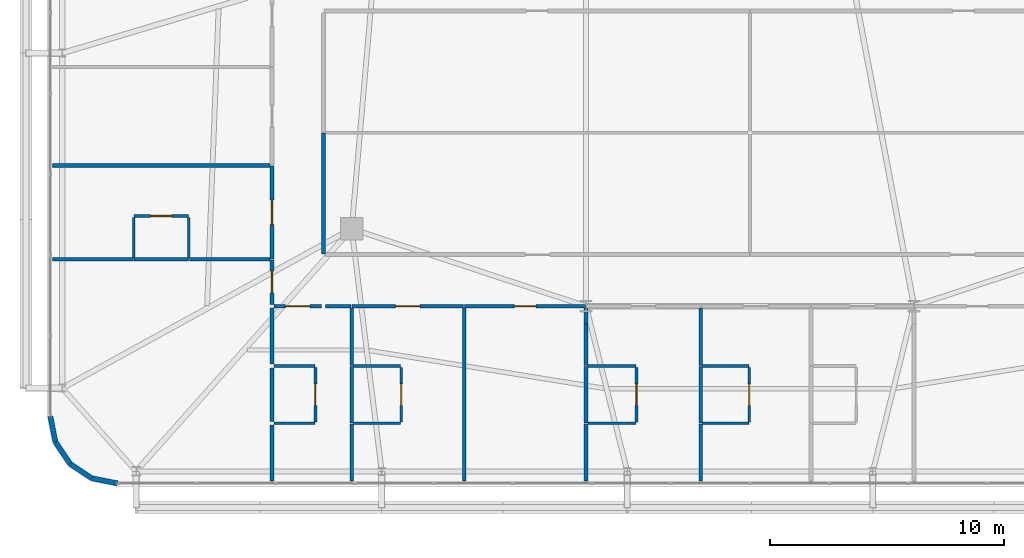
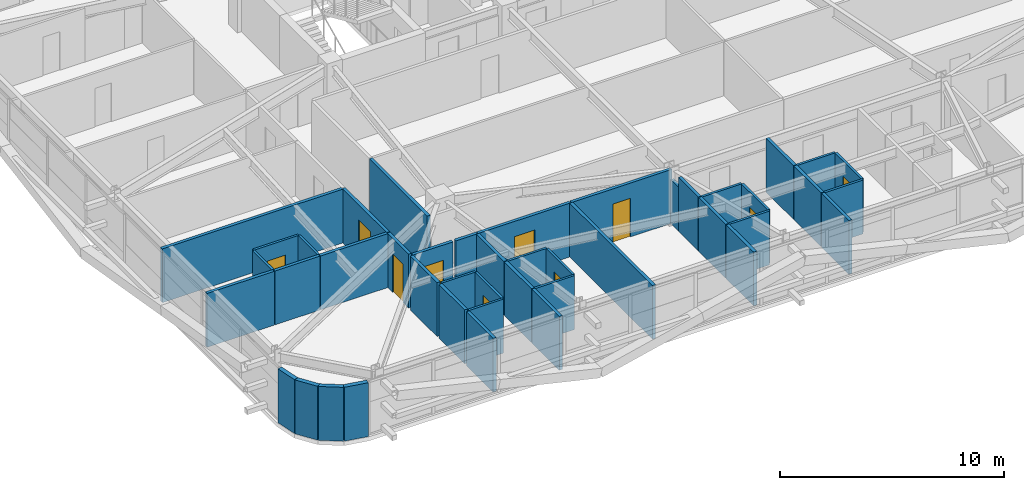
# One storey, part 52 of 59: 44 walls, 10 doors, 10 openings.
"""IFC4 building model written with IfcOpenShell, lengths in metres."""

from ifc_helpers import new_model, si_unit, direction, frame, frame_2d, origin, place, context, subcontext, project, spatial, rectangle, extrude, source, transform, mapped, material, layer, layer_set, type_object, element, fill, save


model = new_model("IFC4")

# Units and contexts
model_context = context("Model", 3, precision=1e-05, world=origin(), true_north=direction((0.0, 1.0)))
body_context = subcontext(model_context, "Body", "Model", "MODEL_VIEW")
ifc_project = project(units=[si_unit("LENGTHUNIT", "METRE"), si_unit("AREAUNIT", "SQUARE_METRE"), si_unit("VOLUMEUNIT", "CUBIC_METRE"), si_unit("PLANEANGLEUNIT", "RADIAN"), si_unit("MASSUNIT", "GRAM", prefix="KILO")], contexts=[model_context])

# Site, building, storey
site_placement = place(None, origin())
site = spatial("IfcSite", under=ifc_project, at=site_placement, CompositionType="ELEMENT")
building_placement = place(site_placement, origin())
building = spatial("IfcBuilding", under=site, at=building_placement, Name="Taldren Reach Tower", CompositionType="ELEMENT")
storey_placement = place(building_placement, frame((0.0, 0.0, 19.949951171875)))
storey = spatial("IfcBuildingStorey", under=building, at=storey_placement, Name="L05", CompositionType="ELEMENT", Elevation=19.949951171875)

# Walls
ifc_material_1 = material(Name="Pale Champagne Anodised Aluminium Cladding", Category="aluminium")
ifc_layer_1 = layer(ifc_material_1, 0.04, Name="Pale Champagne Anodised Aluminium Cladding", Category="aluminium")
ifc_material_2 = material(Name="Mineral Wool Acoustic Insulation", Category="insulation")
ifc_layer_2 = layer(ifc_material_2, 0.06, Name="Mineral Wool Acoustic Insulation", Category="insulation")
ifc_material_3 = material(Name="Steel Gr 350 (C350L0)", Category="steel")
ifc_layer_3 = layer(ifc_material_3, 0.12, Name="Steel Gr 350 (C350L0)", Category="steel")
ifc_layer_set_1 = layer_set([ifc_layer_1, ifc_layer_2, ifc_layer_3], Name="Pale Champagne Aluminium Cladding and Steel Gr 350 Stud Framing")
wall_type_1 = type_object("IfcWallType", Name="EW-CRN-220", PredefinedType="SOLIDWALL", material=ifc_layer_set_1)
shared_shape_1 = source(origin(), body_context, "Body", "SweptSolid", [
    extrude(rectangle(XDim=1.115966796875, YDim=0.219970703125, at=frame_2d((0.55810546875, 0.0))), origin(), (0.0, 0.0, 1.0), 2.929931640625),
])
for number, where, z_axis, x_axis, name in (
    (1, (5.139892578125, 4.5, 0.0), (0.0, 0.0, 1.0), (0.195148375659, -0.98077373103, 0.0), "Rounded-corner pale-metal facade wall L05-SW1"),
    (2, (5.357666015625, 3.405517578125, 0.0), (0.0, 0.0, 1.0), (0.555709556774, -0.83137650226, 0.0), "Rounded-corner pale-metal facade wall L05-SW2"),
    (3, (5.977783203125, 2.477783203125, 0.0), (0.0, 0.0, 1.0), (0.83137650226, -0.555709556774, 0.0), "Rounded-corner pale-metal facade wall L05-SW3"),
    (4, (6.905517578125, 1.857666015625, 0.0), (0.0, 0.0, 1.0), (0.98077373103, -0.195148375659, 0.0), "Rounded-corner pale-metal facade wall L05-SW4"),
):
    element("IfcWall", number, at=place(storey_placement, frame(where, z_axis=z_axis, x_axis=x_axis)), inside=storey, type_object=wall_type_1, Name=name, PredefinedType="SOLIDWALL", context=body_context, shape_type="MappedRepresentation", body=[
        mapped(shared_shape_1, transform((0.0, 0.0, 0.0), scale=1.0)),
    ])

# Wall, opening, door
ifc_material_4 = material(Name="Fire-Rated Acoustic Plasterboard Stud Wall", Category="gypsum")
ifc_layer_4 = layer(ifc_material_4, 0.159912109375)
ifc_layer_set_2 = layer_set([ifc_layer_4], Name="Fire-Rated Acoustic Plasterboard Stud Wall")
wall_type_2 = type_object("IfcWallType", Name="IW-FIRE-160", PredefinedType="PARTITIONING", material=ifc_layer_set_2)
shared_shape_2 = source(origin(), body_context, "Body", "SweptSolid", [
    extrude(rectangle(XDim=2.0400390625, YDim=0.159912109375, at=frame_2d((1.02001953125, 0.0))), origin(), (0.0, 0.0, 1.0), 2.929931640625),
])
wall_1_placement = place(storey_placement, frame((16.719970703125, 9.199951171875, 0.0), z_axis=(0.0, 0.0, 1.0), x_axis=(-1.0, 0.0, 0.0)))
wall_1 = element("IfcWall", 5, at=wall_1_placement, inside=storey, type_object=wall_type_2, Name="Interior Partition Wall W-INT-L05-053", PredefinedType="PARTITIONING", context=body_context, shape_type="MappedRepresentation", body=[
    mapped(shared_shape_2, transform((0.0, 0.0, 0.0), scale=1.0)),
])
shared_shape_3 = source(origin(), body_context, "Body", "SweptSolid", [
    extrude(rectangle(XDim=1.050048828125, YDim=2.10009765625, at=frame_2d((0.52490234375, 1.050048828125))), frame((0.0, 0.08984375, 0.0), z_axis=(0.0, -1.0, 0.0), x_axis=(1.0, 0.0, 0.0)), (0.0, 0.0, 1.0), 0.179931640625),
])
opening_1_placement = place(wall_1_placement, frame((0.4951171875, 0.0, 0.0)))
opening_1 = element("IfcOpeningElement", 6, at=opening_1_placement, cuts=wall_1, Name="Opening DF-105", PredefinedType="OPENING", context=body_context, shape_type="MappedRepresentation", body=[
    mapped(shared_shape_3, transform((0.0, 0.0, 0.0), scale=1.0)),
])
ifc_material_5 = material(Name="Fire-Rated Care and Stair Exit Door")
door_type_1 = type_object("IfcDoorType", Name="ID-FIRE-105", OperationType="NOTDEFINED", PredefinedType="DOOR", material=ifc_material_5)
shared_shape_4 = source(origin(), body_context, "Body", "SweptSolid", [
    extrude(rectangle(XDim=1.050048828125, YDim=2.10009765625, at=frame_2d((0.52490234375, 1.050048828125))), frame((0.0, 0.02490234375, 0.0), z_axis=(0.0, -1.0, 0.0), x_axis=(1.0, 0.0, 0.0)), (0.0, 0.0, 1.0), 0.050048828125),
])
door_1_placement = place(opening_1_placement, origin())
door_1 = element("IfcDoor", 7, at=door_1_placement, inside=storey, type_object=door_type_1, Name="Interior Door DR-L05-011", OperationType="SINGLE_SWING_RIGHT", OverallHeight=2.10009765625, OverallWidth=1.050048828125, PredefinedType="DOOR", context=body_context, shape_type="MappedRepresentation", body=[
    mapped(shared_shape_4, transform((0.0, 0.0, 0.0), scale=1.0)),
])
fill(opening_1, door_1)

# Wall
shared_shape_5 = source(origin(), body_context, "Body", "SweptSolid", [
    extrude(rectangle(XDim=5.15966796875, YDim=0.159912109375, at=frame_2d((2.579833984375, 0.0))), origin(), (0.0, 0.0, 1.0), 2.929931640625),
])
wall_2_placement = place(storey_placement, frame((16.800048828125, 16.579833984375, 0.0), z_axis=(0.0, 0.0, 1.0), x_axis=(0.0, -1.0, 0.0)))
element("IfcWall", 8, at=wall_2_placement, inside=storey, type_object=wall_type_2, Name="Interior Partition Wall W-INT-L05-047", PredefinedType="PARTITIONING", context=body_context, shape_type="MappedRepresentation", body=[
    mapped(shared_shape_5, transform((0.0, 0.0, 0.0), scale=1.0)),
])

# Wall, opening, door
shared_shape_6 = source(origin(), body_context, "Body", "SweptSolid", [
    extrude(rectangle(XDim=1.899658203125, YDim=0.159912109375, at=frame_2d((0.94970703125, 0.0))), origin(), (0.0, 0.0, 1.0), 2.929931640625),
])
wall_3_placement = place(storey_placement, frame((14.60009765625, 9.280029296875, 0.0), z_axis=(0.0, 0.0, 1.0), x_axis=(0.0, 1.0, 0.0)))
wall_3 = element("IfcWall", 9, at=wall_3_placement, inside=storey, type_object=wall_type_2, Name="Interior Partition Wall W-INT-L05-055", PredefinedType="PARTITIONING", context=body_context, shape_type="MappedRepresentation", body=[
    mapped(shared_shape_6, transform((0.0, 0.0, 0.0), scale=1.0)),
])
shared_shape_7 = source(origin(), body_context, "Body", "SweptSolid", [
    extrude(rectangle(XDim=0.919921875, YDim=2.10009765625, at=frame_2d((0.4599609375, 1.050048828125))), frame((0.0, 0.08984375, 0.0), z_axis=(0.0, -1.0, 0.0), x_axis=(1.0, 0.0, 0.0)), (0.0, 0.0, 1.0), 0.179931640625),
])
opening_2_placement = place(wall_3_placement, frame((0.489990234375, 0.0, 0.0)))
opening_2 = element("IfcOpeningElement", 10, at=opening_2_placement, cuts=wall_3, Name="Opening DI-092", PredefinedType="OPENING", context=body_context, shape_type="MappedRepresentation", body=[
    mapped(shared_shape_7, transform((0.0, 0.0, 0.0), scale=1.0)),
])
ifc_material_6 = material(Name="Solid-Core Timber Suite Door", Category="wood")
door_type_2 = type_object("IfcDoorType", Name="ID-INT-092", OperationType="NOTDEFINED", PredefinedType="DOOR", material=ifc_material_6)
shared_shape_8 = source(origin(), body_context, "Body", "SweptSolid", [
    extrude(rectangle(XDim=0.919921875, YDim=2.10009765625, at=frame_2d((0.4599609375, 1.050048828125))), frame((0.0, 0.02490234375, 0.0), z_axis=(0.0, -1.0, 0.0), x_axis=(1.0, 0.0, 0.0)), (0.0, 0.0, 1.0), 0.050048828125),
])
door_2_placement = place(opening_2_placement, origin())
door_2 = element("IfcDoor", 11, at=door_2_placement, inside=storey, type_object=door_type_2, Name="Interior Door DR-L05-013", OperationType="SINGLE_SWING_RIGHT", OverallHeight=2.10009765625, OverallWidth=0.919921875, PredefinedType="DOOR", context=body_context, shape_type="MappedRepresentation", body=[
    mapped(shared_shape_8, transform((0.0, 0.0, 0.0), scale=1.0)),
])
fill(opening_2, door_2)

shared_shape_9 = source(origin(), body_context, "Body", "SweptSolid", [
    extrude(rectangle(XDim=3.95947265625, YDim=0.159912109375, at=frame_2d((1.979736328125, 0.0))), origin(), (0.0, 0.0, 1.0), 2.929931640625),
])
wall_4_placement = place(storey_placement, frame((14.60009765625, 11.22021484375, 0.0), z_axis=(0.0, 0.0, 1.0), x_axis=(0.0, 1.0, 0.0)))
wall_4 = element("IfcWall", 12, at=wall_4_placement, inside=storey, type_object=wall_type_2, Name="Interior Partition Wall W-INT-L05-056", PredefinedType="PARTITIONING", context=body_context, shape_type="MappedRepresentation", body=[
    mapped(shared_shape_9, transform((0.0, 0.0, 0.0), scale=1.0)),
])
opening_3_placement = place(wall_4_placement, frame((1.45458984375, 0.0, 0.0)))
opening_3 = element("IfcOpeningElement", 13, at=opening_3_placement, cuts=wall_4, Name="Opening DF-105", PredefinedType="OPENING", context=body_context, shape_type="MappedRepresentation", body=[
    mapped(shared_shape_3, transform((0.0, 0.0, 0.0), scale=1.0)),
])
door_3_placement = place(opening_3_placement, origin())
door_3 = element("IfcDoor", 14, at=door_3_placement, inside=storey, type_object=door_type_1, Name="Interior Door DR-L05-014", OperationType="SINGLE_SWING_LEFT", OverallHeight=2.10009765625, OverallWidth=1.050048828125, PredefinedType="DOOR", context=body_context, shape_type="MappedRepresentation", body=[
    mapped(shared_shape_4, transform((0.0, 0.0, 0.0), scale=1.0)),
])
fill(opening_3, door_3)

# Wall
shared_shape_10 = source(origin(), body_context, "Body", "SweptSolid", [
    extrude(rectangle(XDim=1.099853515625, YDim=0.159912109375, at=frame_2d((0.5498046875, 0.0))), origin(), (0.0, 0.0, 1.0), 2.929931640625),
])
wall_5_placement = place(storey_placement, frame((17.979736328125, 9.199951171875, 0.0), z_axis=(0.0, 0.0, 1.0), x_axis=(-1.0, 0.0, 0.0)))
element("IfcWall", 15, at=wall_5_placement, inside=storey, type_object=wall_type_2, Name="Interior Partition Wall W-INT-L05-067", PredefinedType="PARTITIONING", context=body_context, shape_type="MappedRepresentation", body=[
    mapped(shared_shape_10, transform((0.0, 0.0, 0.0), scale=1.0)),
])

# Wall, opening, door
shared_shape_11 = source(origin(), body_context, "Body", "SweptSolid", [
    extrude(rectangle(XDim=4.759521484375, YDim=0.159912109375, at=frame_2d((2.3798828125, 0.0))), origin(), (0.0, 0.0, 1.0), 2.929931640625),
])
wall_6_placement = place(storey_placement, frame((22.77978515625, 9.199951171875, 0.0), z_axis=(0.0, 0.0, 1.0), x_axis=(-1.0, 0.0, 0.0)))
wall_6 = element("IfcWall", 16, at=wall_6_placement, inside=storey, type_object=wall_type_2, Name="Interior Partition Wall W-INT-L05-068", PredefinedType="PARTITIONING", context=body_context, shape_type="MappedRepresentation", body=[
    mapped(shared_shape_11, transform((0.0, 0.0, 0.0), scale=1.0)),
])
opening_4_placement = place(wall_6_placement, frame((1.854736328125, 0.0, 0.0)))
opening_4 = element("IfcOpeningElement", 17, at=opening_4_placement, cuts=wall_6, Name="Opening DF-105", PredefinedType="OPENING", context=body_context, shape_type="MappedRepresentation", body=[
    mapped(shared_shape_3, transform((0.0, 0.0, 0.0), scale=1.0)),
])
door_4_placement = place(opening_4_placement, origin())
door_4 = element("IfcDoor", 18, at=door_4_placement, inside=storey, type_object=door_type_1, Name="Interior Door DR-L05-024", OperationType="SINGLE_SWING_LEFT", OverallHeight=2.10009765625, OverallWidth=1.050048828125, PredefinedType="DOOR", context=body_context, shape_type="MappedRepresentation", body=[
    mapped(shared_shape_4, transform((0.0, 0.0, 0.0), scale=1.0)),
])
fill(opening_4, door_4)

shared_shape_12 = source(origin(), body_context, "Body", "SweptSolid", [
    extrude(rectangle(XDim=5.159423828125, YDim=0.159912109375, at=frame_2d((2.57958984375, 0.0))), origin(), (0.0, 0.0, 1.0), 2.929931640625),
])
wall_7_placement = place(storey_placement, frame((27.979736328125, 9.199951171875, 0.0), z_axis=(0.0, 0.0, 1.0), x_axis=(-1.0, 0.0, 0.0)))
wall_7 = element("IfcWall", 19, at=wall_7_placement, inside=storey, type_object=wall_type_2, Name="Interior Partition Wall W-INT-L05-069", PredefinedType="PARTITIONING", context=body_context, shape_type="MappedRepresentation", body=[
    mapped(shared_shape_12, transform((0.0, 0.0, 0.0), scale=1.0)),
])
opening_5_placement = place(wall_7_placement, frame((2.119873046875, 0.0, 0.0)))
opening_5 = element("IfcOpeningElement", 20, at=opening_5_placement, cuts=wall_7, Name="Opening DI-092", PredefinedType="OPENING", context=body_context, shape_type="MappedRepresentation", body=[
    mapped(shared_shape_7, transform((0.0, 0.0, 0.0), scale=1.0)),
])
door_5_placement = place(opening_5_placement, origin())
door_5 = element("IfcDoor", 21, at=door_5_placement, inside=storey, type_object=door_type_2, Name="Interior Door DR-L05-025", OperationType="SINGLE_SWING_RIGHT", OverallHeight=2.10009765625, OverallWidth=0.919921875, PredefinedType="DOOR", context=body_context, shape_type="MappedRepresentation", body=[
    mapped(shared_shape_8, transform((0.0, 0.0, 0.0), scale=1.0)),
])
fill(opening_5, door_5)

ifc_material_7 = material(Name="Insulated Residential Stud Partition", Category="gypsum")
ifc_layer_5 = layer(ifc_material_7, 0.1201171875)
ifc_layer_set_3 = layer_set([ifc_layer_5], Name="Insulated Residential Stud Partition")
wall_type_3 = type_object("IfcWallType", Name="IW-PART-120", PredefinedType="PARTITIONING", material=ifc_layer_set_3)
shared_shape_13 = source(origin(), body_context, "Body", "SweptSolid", [
    extrude(rectangle(XDim=2.330078125, YDim=0.1201171875, at=frame_2d((1.1650390625, 0.0))), origin(), (0.0, 0.0, 1.0), 2.929931640625),
])
wall_8_placement = place(storey_placement, frame((16.449951171875, 4.260009765625, 0.0), z_axis=(0.0, 0.0, 1.0), x_axis=(0.0, 1.0, 0.0)))
wall_8 = element("IfcWall", 22, at=wall_8_placement, inside=storey, type_object=wall_type_3, Name="Interior Partition Wall W-INT-L05-080", PredefinedType="PARTITIONING", context=body_context, shape_type="MappedRepresentation", body=[
    mapped(shared_shape_13, transform((0.0, 0.0, 0.0), scale=1.0)),
])
shared_shape_14 = source(origin(), body_context, "Body", "SweptSolid", [
    extrude(rectangle(XDim=0.919921875, YDim=2.10009765625, at=frame_2d((0.4599609375, 1.050048828125))), frame((0.0, 0.070068359375, 0.0), z_axis=(0.0, -1.0, 0.0), x_axis=(1.0, 0.0, 0.0)), (0.0, 0.0, 1.0), 0.14013671875),
])
opening_6_placement = place(wall_8_placement, frame((0.705078125, 0.0, 0.0)))
opening_6 = element("IfcOpeningElement", 23, at=opening_6_placement, cuts=wall_8, Name="Opening DI-092", PredefinedType="OPENING", context=body_context, shape_type="MappedRepresentation", body=[
    mapped(shared_shape_14, transform((0.0, 0.0, 0.0), scale=1.0)),
])
door_6_placement = place(opening_6_placement, origin())
door_6 = element("IfcDoor", 24, at=door_6_placement, inside=storey, type_object=door_type_2, Name="Interior Door DR-L05-031", OperationType="SINGLE_SWING_RIGHT", OverallHeight=2.10009765625, OverallWidth=0.919921875, PredefinedType="DOOR", context=body_context, shape_type="MappedRepresentation", body=[
    mapped(shared_shape_8, transform((0.0, 0.0, 0.0), scale=1.0)),
])
fill(opening_6, door_6)

wall_9_placement = place(storey_placement, frame((20.112060546875, 4.260009765625, 0.0), z_axis=(0.0, 0.0, 1.0), x_axis=(0.0, 1.0, 0.0)))
wall_9 = element("IfcWall", 25, at=wall_9_placement, inside=storey, type_object=wall_type_3, Name="Interior Partition Wall W-INT-L05-089", PredefinedType="PARTITIONING", context=body_context, shape_type="MappedRepresentation", body=[
    mapped(shared_shape_13, transform((0.0, 0.0, 0.0), scale=1.0)),
])
opening_7_placement = place(wall_9_placement, frame((0.705078125, 0.0, 0.0)))
opening_7 = element("IfcOpeningElement", 26, at=opening_7_placement, cuts=wall_9, Name="Opening DI-092", PredefinedType="OPENING", context=body_context, shape_type="MappedRepresentation", body=[
    mapped(shared_shape_14, transform((0.0, 0.0, 0.0), scale=1.0)),
])
door_7_placement = place(opening_7_placement, origin())
door_7 = element("IfcDoor", 27, at=door_7_placement, inside=storey, type_object=door_type_2, Name="Interior Door DR-L05-032", OperationType="SINGLE_SWING_LEFT", OverallHeight=2.10009765625, OverallWidth=0.919921875, PredefinedType="DOOR", context=body_context, shape_type="MappedRepresentation", body=[
    mapped(shared_shape_8, transform((0.0, 0.0, 0.0), scale=1.0)),
])
fill(opening_7, door_7)

wall_10_placement = place(storey_placement, frame((30.156005859375, 4.260009765625, 0.0), z_axis=(0.0, 0.0, 1.0), x_axis=(0.0, 1.0, 0.0)))
wall_10 = element("IfcWall", 28, at=wall_10_placement, inside=storey, type_object=wall_type_3, Name="Interior Partition Wall W-INT-L05-096", PredefinedType="PARTITIONING", context=body_context, shape_type="MappedRepresentation", body=[
    mapped(shared_shape_13, transform((0.0, 0.0, 0.0), scale=1.0)),
])
opening_8_placement = place(wall_10_placement, frame((0.705078125, 0.0, 0.0)))
opening_8 = element("IfcOpeningElement", 29, at=opening_8_placement, cuts=wall_10, Name="Opening DI-092", PredefinedType="OPENING", context=body_context, shape_type="MappedRepresentation", body=[
    mapped(shared_shape_14, transform((0.0, 0.0, 0.0), scale=1.0)),
])
door_8_placement = place(opening_8_placement, origin())
door_8 = element("IfcDoor", 30, at=door_8_placement, inside=storey, type_object=door_type_2, Name="Interior Door DR-L05-033", OperationType="SINGLE_SWING_RIGHT", OverallHeight=2.10009765625, OverallWidth=0.919921875, PredefinedType="DOOR", context=body_context, shape_type="MappedRepresentation", body=[
    mapped(shared_shape_8, transform((0.0, 0.0, 0.0), scale=1.0)),
])
fill(opening_8, door_8)

wall_11_placement = place(storey_placement, frame((34.968017578125, 4.260009765625, 0.0), z_axis=(0.0, 0.0, 1.0), x_axis=(0.0, 1.0, 0.0)))
wall_11 = element("IfcWall", 31, at=wall_11_placement, inside=storey, type_object=wall_type_3, Name="Interior Partition Wall W-INT-L05-102", PredefinedType="PARTITIONING", context=body_context, shape_type="MappedRepresentation", body=[
    mapped(shared_shape_13, transform((0.0, 0.0, 0.0), scale=1.0)),
])
opening_9_placement = place(wall_11_placement, frame((0.705078125, 0.0, 0.0)))
opening_9 = element("IfcOpeningElement", 32, at=opening_9_placement, cuts=wall_11, Name="Opening DI-092", PredefinedType="OPENING", context=body_context, shape_type="MappedRepresentation", body=[
    mapped(shared_shape_14, transform((0.0, 0.0, 0.0), scale=1.0)),
])
door_9_placement = place(opening_9_placement, origin())
door_9 = element("IfcDoor", 33, at=door_9_placement, inside=storey, type_object=door_type_2, Name="Interior Door DR-L05-034", OperationType="SINGLE_SWING_LEFT", OverallHeight=2.10009765625, OverallWidth=0.919921875, PredefinedType="DOOR", context=body_context, shape_type="MappedRepresentation", body=[
    mapped(shared_shape_8, transform((0.0, 0.0, 0.0), scale=1.0)),
])
fill(opening_9, door_9)

# Walls
shared_shape_15 = source(origin(), body_context, "Body", "SweptSolid", [
    extrude(rectangle(XDim=1.749755859375, YDim=0.1201171875, at=frame_2d((0.875, 0.0))), origin(), (0.0, 0.0, 1.0), 2.929931640625),
])
for number, where, z_axis, x_axis, name in (
    (34, (14.679931640625, 4.199951171875, 0.0), (0.0, 0.0, 1.0), (1.0, 0.0, 0.0), "Interior Partition Wall W-INT-L05-081"),
    (35, (16.4296875, 6.64990234375, 0.0), (0.0, 0.0, 1.0), (-1.0, 0.0, 0.0), "Interior Partition Wall W-INT-L05-082"),
):
    element("IfcWall", number, at=place(storey_placement, frame(where, z_axis=z_axis, x_axis=x_axis)), inside=storey, type_object=wall_type_3, Name=name, PredefinedType="PARTITIONING", context=body_context, shape_type="MappedRepresentation", body=[
        mapped(shared_shape_15, transform((0.0, 0.0, 0.0), scale=1.0)),
    ])
shared_shape_16 = source(origin(), body_context, "Body", "SweptSolid", [
    extrude(rectangle(XDim=2.44775390625, YDim=0.159912109375, at=frame_2d((1.223876953125, 0.0))), origin(), (0.0, 0.0, 1.0), 2.929931640625),
])
for number, where, z_axis, x_axis, name in (
    (36, (18.0, 4.1796875, 0.0), (0.0, 0.0, 1.0), (0.0, -1.0, 0.0), "Interior Partition Wall W-INT-L05-083"),
    (37, (18.0, 9.117919921875, 0.0), (0.0, 0.0, 1.0), (0.0, -1.0, 0.0), "Interior Partition Wall W-INT-L05-084"),
    (38, (32.89990234375, 4.1796875, 0.0), (0.0, 0.0, 1.0), (0.0, -1.0, 0.0), "Interior Partition Wall W-INT-L05-099"),
    (39, (32.89990234375, 9.117919921875, 0.0), (0.0, 0.0, 1.0), (0.0, -1.0, 0.0), "Interior Partition Wall W-INT-L05-100"),
):
    element("IfcWall", number, at=place(storey_placement, frame(where, z_axis=z_axis, x_axis=x_axis)), inside=storey, type_object=wall_type_2, Name=name, PredefinedType="PARTITIONING", context=body_context, shape_type="MappedRepresentation", body=[
        mapped(shared_shape_16, transform((0.0, 0.0, 0.0), scale=1.0)),
    ])
shared_shape_17 = source(origin(), body_context, "Body", "SweptSolid", [
    extrude(rectangle(XDim=2.40966796875, YDim=0.159912109375, at=frame_2d((1.204833984375, 0.0))), origin(), (0.0, 0.0, 1.0), 2.929931640625),
])
for number, where, z_axis, x_axis, name in (
    (40, (18.0, 6.6298828125, 0.0), (0.0, 0.0, 1.0), (0.0, -1.0, 0.0), "Interior Partition Wall W-INT-L05-085"),
    (41, (28.0, 6.6298828125, 0.0), (0.0, 0.0, 1.0), (0.0, -1.0, 0.0), "Interior Partition Wall W-INT-L05-095"),
    (42, (32.89990234375, 6.6298828125, 0.0), (0.0, 0.0, 1.0), (0.0, -1.0, 0.0), "Interior Partition Wall W-INT-L05-101"),
):
    element("IfcWall", number, at=place(storey_placement, frame(where, z_axis=z_axis, x_axis=x_axis)), inside=storey, type_object=wall_type_2, Name=name, PredefinedType="PARTITIONING", context=body_context, shape_type="MappedRepresentation", body=[
        mapped(shared_shape_17, transform((0.0, 0.0, 0.0), scale=1.0)),
    ])
shared_shape_18 = source(origin(), body_context, "Body", "SweptSolid", [
    extrude(rectangle(XDim=2.38818359375, YDim=0.159912109375, at=frame_2d((1.194091796875, 0.0))), origin(), (0.0, 0.0, 1.0), 2.929931640625),
])
wall_12_placement = place(storey_placement, frame((14.60009765625, 1.73193359375, 0.0), z_axis=(0.0, 0.0, 1.0), x_axis=(0.0, 1.0, 0.0)))
element("IfcWall", 43, at=wall_12_placement, inside=storey, type_object=wall_type_2, Name="Interior Partition Wall W-INT-L05-086", PredefinedType="PARTITIONING", context=body_context, shape_type="MappedRepresentation", body=[
    mapped(shared_shape_18, transform((0.0, 0.0, 0.0), scale=1.0)),
])
shared_shape_19 = source(origin(), body_context, "Body", "SweptSolid", [
    extrude(rectangle(XDim=2.387939453125, YDim=0.159912109375, at=frame_2d((1.19384765625, 0.0))), origin(), (0.0, 0.0, 1.0), 2.929931640625),
])
wall_13_placement = place(storey_placement, frame((14.60009765625, 6.72998046875, 0.0), z_axis=(0.0, 0.0, 1.0), x_axis=(0.0, 1.0, 0.0)))
element("IfcWall", 44, at=wall_13_placement, inside=storey, type_object=wall_type_2, Name="Interior Partition Wall W-INT-L05-087", PredefinedType="PARTITIONING", context=body_context, shape_type="MappedRepresentation", body=[
    mapped(shared_shape_19, transform((0.0, 0.0, 0.0), scale=1.0)),
])
shared_shape_20 = source(origin(), body_context, "Body", "SweptSolid", [
    extrude(rectangle(XDim=2.2900390625, YDim=0.159912109375, at=frame_2d((1.14501953125, 0.0))), origin(), (0.0, 0.0, 1.0), 2.929931640625),
])
wall_14_placement = place(storey_placement, frame((14.60009765625, 4.280029296875, 0.0), z_axis=(0.0, 0.0, 1.0), x_axis=(0.0, 1.0, 0.0)))
element("IfcWall", 45, at=wall_14_placement, inside=storey, type_object=wall_type_2, Name="Interior Partition Wall W-INT-L05-088", PredefinedType="PARTITIONING", context=body_context, shape_type="MappedRepresentation", body=[
    mapped(shared_shape_20, transform((0.0, 0.0, 0.0), scale=1.0)),
])
shared_shape_21 = source(origin(), body_context, "Body", "SweptSolid", [
    extrude(rectangle(XDim=2.01171875, YDim=0.1201171875, at=frame_2d((1.005859375, 0.0))), origin(), (0.0, 0.0, 1.0), 2.929931640625),
])
for number, where, z_axis, x_axis, name in (
    (46, (18.080078125, 4.199951171875, 0.0), (0.0, 0.0, 1.0), (1.0, 0.0, 0.0), "Interior Partition Wall W-INT-L05-090"),
    (47, (20.091796875, 6.64990234375, 0.0), (0.0, 0.0, 1.0), (-1.0, 0.0, 0.0), "Interior Partition Wall W-INT-L05-091"),
):
    element("IfcWall", number, at=place(storey_placement, frame(where, z_axis=z_axis, x_axis=x_axis)), inside=storey, type_object=wall_type_3, Name=name, PredefinedType="PARTITIONING", context=body_context, shape_type="MappedRepresentation", body=[
        mapped(shared_shape_21, transform((0.0, 0.0, 0.0), scale=1.0)),
    ])
shared_shape_22 = source(origin(), body_context, "Body", "SweptSolid", [
    extrude(rectangle(XDim=7.385986328125, YDim=0.159912109375, at=frame_2d((3.69287109375, 0.0))), origin(), (0.0, 0.0, 1.0), 2.929931640625),
])
wall_15_placement = place(storey_placement, frame((22.800048828125, 9.117919921875, 0.0), z_axis=(0.0, 0.0, 1.0), x_axis=(0.0, -1.0, 0.0)))
element("IfcWall", 48, at=wall_15_placement, inside=storey, type_object=wall_type_2, Name="Interior Partition Wall W-INT-L05-092", PredefinedType="PARTITIONING", context=body_context, shape_type="MappedRepresentation", body=[
    mapped(shared_shape_22, transform((0.0, 0.0, 0.0), scale=1.0)),
])
shared_shape_23 = source(origin(), body_context, "Body", "SweptSolid", [
    extrude(rectangle(XDim=2.44970703125, YDim=0.159912109375, at=frame_2d((1.224853515625, 0.0))), origin(), (0.0, 0.0, 1.0), 2.929931640625),
])
wall_16_placement = place(storey_placement, frame((28.0, 4.1796875, 0.0), z_axis=(0.0, 0.0, 1.0), x_axis=(0.0, -1.0, 0.0)))
element("IfcWall", 49, at=wall_16_placement, inside=storey, type_object=wall_type_2, Name="Interior Partition Wall W-INT-L05-093", PredefinedType="PARTITIONING", context=body_context, shape_type="MappedRepresentation", body=[
    mapped(shared_shape_23, transform((0.0, 0.0, 0.0), scale=1.0)),
])
shared_shape_24 = source(origin(), body_context, "Body", "SweptSolid", [
    extrude(rectangle(XDim=0.672119140625, YDim=0.159912109375, at=frame_2d((0.3359375, 0.0))), origin(), (0.0, 0.0, 1.0), 2.39697265625),
])
wall_17_placement = place(storey_placement, frame((28.0, 9.1201171875, 0.0), z_axis=(0.0, 0.0, 1.0), x_axis=(0.0, -1.0, 0.0)))
element("IfcWall", 50, at=wall_17_placement, inside=storey, type_object=wall_type_2, Name="Interior Partition Wall W-INT-L05-094", PredefinedType="PARTITIONING", context=body_context, shape_type="MappedRepresentation", body=[
    mapped(shared_shape_24, transform((0.0, 0.0, 0.0), scale=1.0)),
])
shared_shape_25 = source(origin(), body_context, "Body", "SweptSolid", [
    extrude(rectangle(XDim=1.77783203125, YDim=0.159912109375, at=frame_2d((0.888916015625, 0.0))), origin(), (0.0, 0.0, 1.0), 2.929931640625),
])
wall_18_placement = place(storey_placement, frame((28.0, 8.447998046875, 0.0), z_axis=(0.0, 0.0, 1.0), x_axis=(0.0, -1.0, 0.0)))
element("IfcWall", 51, at=wall_18_placement, inside=storey, type_object=wall_type_2, Name="Interior Partition Wall W-INT-L05-094 part 2", PredefinedType="PARTITIONING", context=body_context, shape_type="MappedRepresentation", body=[
    mapped(shared_shape_25, transform((0.0, 0.0, 0.0), scale=1.0)),
])
shared_shape_26 = source(origin(), body_context, "Body", "SweptSolid", [
    extrude(rectangle(XDim=2.0556640625, YDim=0.1201171875, at=frame_2d((1.02783203125, 0.0))), origin(), (0.0, 0.0, 1.0), 2.929931640625),
])
for number, where, z_axis, x_axis, name in (
    (52, (28.080078125, 4.199951171875, 0.0), (0.0, 0.0, 1.0), (1.0, 0.0, 0.0), "Interior Partition Wall W-INT-L05-097"),
    (53, (30.1357421875, 6.64990234375, 0.0), (0.0, 0.0, 1.0), (-1.0, 0.0, 0.0), "Interior Partition Wall W-INT-L05-098"),
):
    element("IfcWall", number, at=place(storey_placement, frame(where, z_axis=z_axis, x_axis=x_axis)), inside=storey, type_object=wall_type_3, Name=name, PredefinedType="PARTITIONING", context=body_context, shape_type="MappedRepresentation", body=[
        mapped(shared_shape_26, transform((0.0, 0.0, 0.0), scale=1.0)),
    ])
shared_shape_27 = source(origin(), body_context, "Body", "SweptSolid", [
    extrude(rectangle(XDim=1.9677734375, YDim=0.1201171875, at=frame_2d((0.98388671875, 0.0))), origin(), (0.0, 0.0, 1.0), 2.929931640625),
])
for number, where, z_axis, x_axis, name in (
    (54, (32.97998046875, 4.199951171875, 0.0), (0.0, 0.0, 1.0), (1.0, 0.0, 0.0), "Interior Partition Wall W-INT-L05-103"),
    (55, (34.94775390625, 6.64990234375, 0.0), (0.0, 0.0, 1.0), (-1.0, 0.0, 0.0), "Interior Partition Wall W-INT-L05-104"),
):
    element("IfcWall", number, at=place(storey_placement, frame(where, z_axis=z_axis, x_axis=x_axis)), inside=storey, type_object=wall_type_3, Name=name, PredefinedType="PARTITIONING", context=body_context, shape_type="MappedRepresentation", body=[
        mapped(shared_shape_27, transform((0.0, 0.0, 0.0), scale=1.0)),
    ])
shared_shape_28 = source(origin(), body_context, "Body", "SweptSolid", [
    extrude(rectangle(XDim=3.44970703125, YDim=0.159912109375, at=frame_2d((1.724853515625, 0.0))), origin(), (0.0, 0.0, 1.0), 2.929931640625),
])
for number, where, z_axis, x_axis, name in (
    (56, (5.22998046875, 11.199951171875, 0.0), (0.0, 0.0, 1.0), (1.0, 0.0, 0.0), "Interior Partition Wall W-INT-L05-125"),
    (57, (11.0703125, 11.199951171875, 0.0), (0.0, 0.0, 1.0), (1.0, 0.0, 0.0), "Interior Partition Wall W-INT-L05-126"),
):
    element("IfcWall", number, at=place(storey_placement, frame(where, z_axis=z_axis, x_axis=x_axis)), inside=storey, type_object=wall_type_2, Name=name, PredefinedType="PARTITIONING", context=body_context, shape_type="MappedRepresentation", body=[
        mapped(shared_shape_28, transform((0.0, 0.0, 0.0), scale=1.0)),
    ])
shared_shape_29 = source(origin(), body_context, "Body", "SweptSolid", [
    extrude(rectangle(XDim=2.3095703125, YDim=0.159912109375, at=frame_2d((1.15478515625, 0.0))), origin(), (0.0, 0.0, 1.0), 2.929931640625),
])
wall_19_placement = place(storey_placement, frame((8.72021484375, 11.199951171875, 0.0), z_axis=(0.0, 0.0, 1.0), x_axis=(1.0, 0.0, 0.0)))
element("IfcWall", 58, at=wall_19_placement, inside=storey, type_object=wall_type_2, Name="Interior Partition Wall W-INT-L05-127", PredefinedType="PARTITIONING", context=body_context, shape_type="MappedRepresentation", body=[
    mapped(shared_shape_29, transform((0.0, 0.0, 0.0), scale=1.0)),
])

# Wall, opening, door
shared_shape_30 = source(origin(), body_context, "Body", "SweptSolid", [
    extrude(rectangle(XDim=2.3095703125, YDim=0.1201171875, at=frame_2d((1.15478515625, 0.0))), origin(), (0.0, 0.0, 1.0), 2.929931640625),
])
wall_20_placement = place(storey_placement, frame((11.02978515625, 13.050048828125, 0.0), z_axis=(0.0, 0.0, 1.0), x_axis=(-1.0, 0.0, 0.0)))
wall_20 = element("IfcWall", 59, at=wall_20_placement, inside=storey, type_object=wall_type_3, Name="Interior Partition Wall W-INT-L05-128", PredefinedType="PARTITIONING", context=body_context, shape_type="MappedRepresentation", body=[
    mapped(shared_shape_30, transform((0.0, 0.0, 0.0), scale=1.0)),
])
opening_10_placement = place(wall_20_placement, frame((0.69482421875, 0.0, 0.0)))
opening_10 = element("IfcOpeningElement", 60, at=opening_10_placement, cuts=wall_20, Name="Opening DI-092", PredefinedType="OPENING", context=body_context, shape_type="MappedRepresentation", body=[
    mapped(shared_shape_14, transform((0.0, 0.0, 0.0), scale=1.0)),
])
door_10_placement = place(opening_10_placement, origin())
door_10 = element("IfcDoor", 61, at=door_10_placement, inside=storey, type_object=door_type_2, Name="Interior Door DR-L05-038", OperationType="SINGLE_SWING_LEFT", OverallHeight=2.10009765625, OverallWidth=0.919921875, PredefinedType="DOOR", context=body_context, shape_type="MappedRepresentation", body=[
    mapped(shared_shape_8, transform((0.0, 0.0, 0.0), scale=1.0)),
])
fill(opening_10, door_10)

# Walls
shared_shape_31 = source(origin(), body_context, "Body", "SweptSolid", [
    extrude(rectangle(XDim=1.7099609375, YDim=0.1201171875, at=frame_2d((0.85498046875, 0.0))), origin(), (0.0, 0.0, 1.0), 2.929931640625),
])
for number, where, z_axis, x_axis, name in (
    (62, (8.699951171875, 12.989990234375, 0.0), (0.0, 0.0, 1.0), (0.0, -1.0, 0.0), "Interior Partition Wall W-INT-L05-129"),
    (63, (11.050048828125, 11.280029296875, 0.0), (0.0, 0.0, 1.0), (0.0, 1.0, 0.0), "Interior Partition Wall W-INT-L05-130"),
):
    element("IfcWall", number, at=place(storey_placement, frame(where, z_axis=z_axis, x_axis=x_axis)), inside=storey, type_object=wall_type_3, Name=name, PredefinedType="PARTITIONING", context=body_context, shape_type="MappedRepresentation", body=[
        mapped(shared_shape_31, transform((0.0, 0.0, 0.0), scale=1.0)),
    ])
shared_shape_32 = source(origin(), body_context, "Body", "SweptSolid", [
    extrude(rectangle(XDim=9.2861328125, YDim=0.159912109375, at=frame_2d((4.64306640625, 0.0))), origin(), (0.0, 0.0, 1.0), 2.929931640625),
])
wall_21_placement = place(storey_placement, frame((5.23193359375, 15.199951171875, 0.0), z_axis=(0.0, 0.0, 1.0), x_axis=(1.0, 0.0, 0.0)))
element("IfcWall", 64, at=wall_21_placement, inside=storey, type_object=wall_type_2, Name="Interior Partition Wall W-INT-L05-131", PredefinedType="PARTITIONING", context=body_context, shape_type="MappedRepresentation", body=[
    mapped(shared_shape_32, transform((0.0, 0.0, 0.0), scale=1.0)),
])

save(model, "model.ifc")
